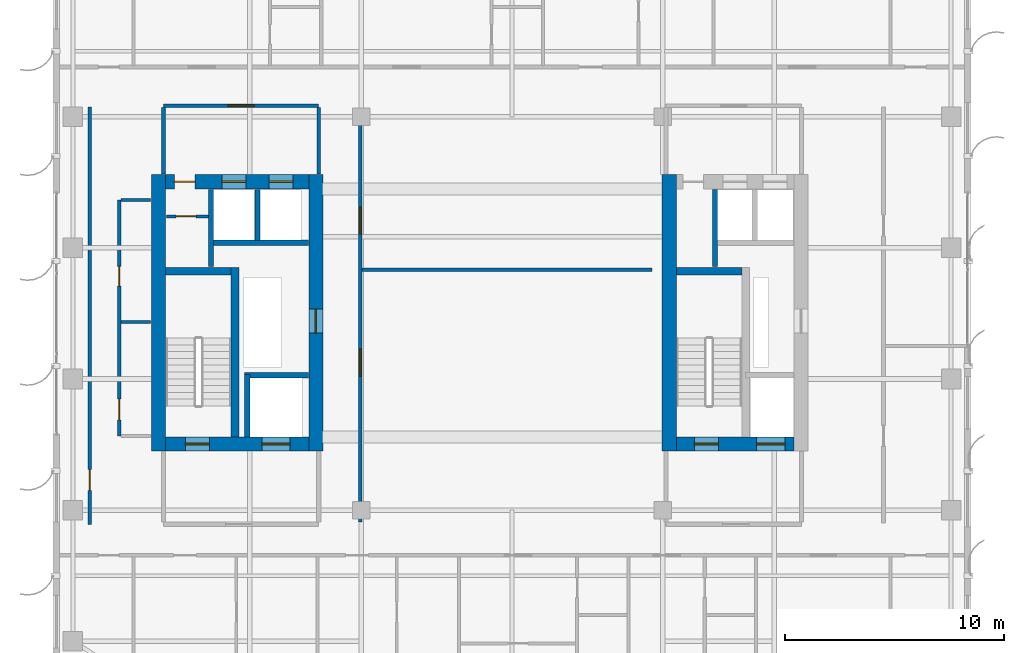
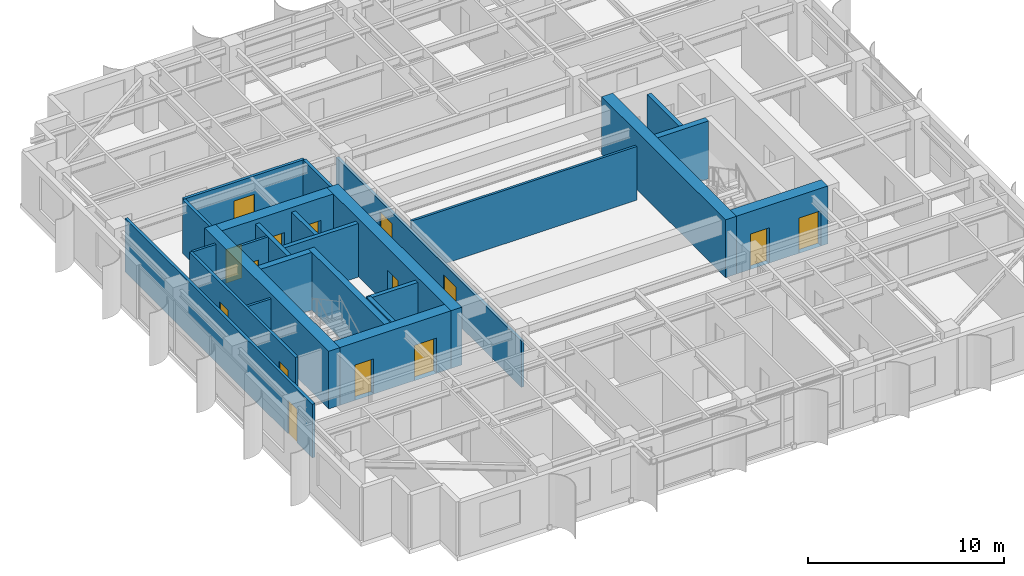
# One storey, part 17 of 23: 25 walls, 15 doors, 15 openings.
"""IFC4 building model written with IfcOpenShell, lengths in metres."""

from ifc_helpers import new_model, si_unit, direction, frame, frame_2d, origin, place, context, subcontext, project, spatial, rectangle, extrude, source, transform, mapped, material, layer, layer_set, type_object, element, fill, save


model = new_model("IFC4")

# Units and contexts
model_context = context("Model", 3, precision=1e-05, world=origin(), true_north=direction((0.0, 1.0)))
body_context = subcontext(model_context, "Body", "Model", "MODEL_VIEW")
ifc_project = project(units=[si_unit("LENGTHUNIT", "METRE"), si_unit("AREAUNIT", "SQUARE_METRE"), si_unit("VOLUMEUNIT", "CUBIC_METRE"), si_unit("PLANEANGLEUNIT", "RADIAN"), si_unit("MASSUNIT", "GRAM", prefix="KILO")], contexts=[model_context])

# Site, building, storey
site_placement = place(None, origin())
site = spatial("IfcSite", under=ifc_project, at=site_placement, CompositionType="ELEMENT")
building_placement = place(site_placement, origin())
building = spatial("IfcBuilding", under=site, at=building_placement, Name="Khoralis Quay Care Tower", CompositionType="ELEMENT")
storey_placement = place(building_placement, frame((0.0, 0.0, 173.699951171875)))
storey = spatial("IfcBuildingStorey", under=building, at=storey_placement, Name="L45", CompositionType="ELEMENT", Elevation=173.699951171875)

# Wall
ifc_material_1 = material(Name="Concrete C65/80", Category="concrete")
ifc_layer_1 = layer(ifc_material_1, 0.64990234375)
ifc_layer_set_1 = layer_set([ifc_layer_1], Name="Concrete C65/80")
wall_type_1 = type_object("IfcWallType", Name="WL-CORE-650", PredefinedType="SHEAR", material=ifc_layer_set_1)
wall_1_placement = place(storey_placement, frame((7.824951171875, 14.699951171875, 0.0), z_axis=(0.0, 0.0, 1.0), x_axis=(0.0, 1.0, 0.0)))
element("IfcWall", 1, at=wall_1_placement, inside=storey, type_object=wall_type_1, Name="L45 WCORE West Shear Wall", PredefinedType="SHEAR", context=body_context, shape_type="SweptSolid", body=[
    extrude(rectangle(XDim=12.650146484375, YDim=0.64990234375, at=frame_2d((6.3251953125, 0.0))), origin(), (0.0, 0.0, 1.0), 3.60009765625),
])

# Wall, opening, door
wall_2_placement = place(storey_placement, frame((15.02490234375, 14.699951171875, 0.0), z_axis=(0.0, 0.0, 1.0), x_axis=(0.0, 1.0, 0.0)))
wall_2 = element("IfcWall", 2, at=wall_2_placement, inside=storey, type_object=wall_type_1, Name="L45 WCORE East Shear Wall", PredefinedType="SHEAR", context=body_context, shape_type="SweptSolid", body=[
    extrude(rectangle(XDim=12.650146484375, YDim=0.64990234375, at=frame_2d((6.3251953125, 0.0))), origin(), (0.0, 0.0, 1.0), 3.60009765625),
])
opening_1_placement = place(wall_2_placement, frame((5.39990234375, 0.0, 0.0)))
opening_1 = element("IfcOpeningElement", 3, at=opening_1_placement, cuts=wall_2, Name="Opening SD1", PredefinedType="OPENING", context=body_context, shape_type="SweptSolid", body=[
    extrude(rectangle(XDim=1.10009765625, YDim=2.199951171875, at=frame_2d((0.550048828125, 1.10009765625))), frame((0.0, 0.3349609375, 0.0), z_axis=(0.0, -1.0, 0.0), x_axis=(1.0, 0.0, 0.0)), (0.0, 0.0, 1.0), 0.669921875),
])
ifc_material_2 = material(Name="Fire-rated painted steel", Category="steel")
door_type_1 = type_object("IfcDoorType", Name="DR-STAIR-1100X2200", OperationType="NOTDEFINED", PredefinedType="DOOR", material=ifc_material_2)
shared_shape_1 = source(origin(), body_context, "Body", "SweptSolid", [
    extrude(rectangle(XDim=1.10009765625, YDim=2.199951171875, at=frame_2d((0.550048828125, 1.10009765625))), frame((0.0, 0.02490234375, 0.0), z_axis=(0.0, -1.0, 0.0), x_axis=(1.0, 0.0, 0.0)), (0.0, 0.0, 1.0), 0.050048828125),
])
door_1_placement = place(opening_1_placement, origin())
door_1 = element("IfcDoor", 4, at=door_1_placement, inside=storey, type_object=door_type_1, Name="L45 West MEP Riser Door", OperationType="SINGLE_SWING_LEFT", OverallHeight=2.199951171875, OverallWidth=1.10009765625, PredefinedType="DOOR", context=body_context, shape_type="MappedRepresentation", body=[
    mapped(shared_shape_1, transform((0.0, 0.0, 0.0), scale=1.0)),
])
fill(opening_1, door_1)

# Wall, openings, doors
wall_3_placement = place(storey_placement, frame((8.14990234375, 15.02490234375, 0.0), z_axis=(0.0, 0.0, 1.0), x_axis=(1.0, 0.0, 0.0)))
wall_3 = element("IfcWall", 5, at=wall_3_placement, inside=storey, type_object=wall_type_1, Name="L45 WCORE South Shear Wall", PredefinedType="SHEAR", context=body_context, shape_type="SweptSolid", body=[
    extrude(rectangle(XDim=6.550048828125, YDim=0.64990234375, at=frame_2d((3.27490234375, 0.0))), origin(), (0.0, 0.0, 1.0), 3.60009765625),
])
opening_2_placement = place(wall_3_placement, frame((0.89990234375, 0.0, 0.0)))
opening_2 = element("IfcOpeningElement", 6, at=opening_2_placement, cuts=wall_3, Name="Opening SD1", PredefinedType="OPENING", context=body_context, shape_type="SweptSolid", body=[
    extrude(rectangle(XDim=1.10009765625, YDim=2.199951171875, at=frame_2d((0.550048828125, 1.10009765625))), frame((0.0, 0.3349609375, 0.0), z_axis=(0.0, -1.0, 0.0), x_axis=(1.0, 0.0, 0.0)), (0.0, 0.0, 1.0), 0.669921875),
])
opening_3_placement = place(wall_3_placement, frame((4.39990234375, 0.0, 0.0)))
opening_3 = element("IfcOpeningElement", 7, at=opening_3_placement, cuts=wall_3, Name="Opening LD2", PredefinedType="OPENING", context=body_context, shape_type="SweptSolid", body=[
    extrude(rectangle(XDim=1.300048828125, YDim=2.199951171875, at=frame_2d((0.64990234375, 1.10009765625))), frame((0.0, 0.3349609375, 0.0), z_axis=(0.0, -1.0, 0.0), x_axis=(1.0, 0.0, 0.0)), (0.0, 0.0, 1.0), 0.669921875),
])
door_2_placement = place(opening_2_placement, origin())
door_2 = element("IfcDoor", 8, at=door_2_placement, inside=storey, type_object=door_type_1, Name="L45 Stair ST-T1 Fire Door", OperationType="SINGLE_SWING_LEFT", OverallHeight=2.199951171875, OverallWidth=1.10009765625, PredefinedType="DOOR", context=body_context, shape_type="MappedRepresentation", body=[
    mapped(shared_shape_1, transform((0.0, 0.0, 0.0), scale=1.0)),
])
fill(opening_2, door_2)
ifc_material_3 = material(Name="Brushed stainless steel", Category="steel")
door_type_2 = type_object("IfcDoorType", Name="DR-LIFT-1300X2200", OperationType="SLIDING_TO_RIGHT", PredefinedType="DOOR", material=ifc_material_3)
shared_shape_2 = source(origin(), body_context, "Body", "SweptSolid", [
    extrude(rectangle(XDim=1.300048828125, YDim=2.199951171875, at=frame_2d((0.64990234375, 1.10009765625))), frame((0.0, 0.02490234375, 0.0), z_axis=(0.0, -1.0, 0.0), x_axis=(1.0, 0.0, 0.0)), (0.0, 0.0, 1.0), 0.050048828125),
])
door_3_placement = place(opening_3_placement, origin())
door_3 = element("IfcDoor", 9, at=door_3_placement, inside=storey, type_object=door_type_2, Name="L45 Firefighting Lift FFL-1 Landing Door", OperationType="SLIDING_TO_RIGHT", OverallHeight=2.199951171875, OverallWidth=1.300048828125, PredefinedType="DOOR", context=body_context, shape_type="MappedRepresentation", body=[
    mapped(shared_shape_2, transform((0.0, 0.0, 0.0), scale=1.0)),
])
fill(opening_3, door_3)

wall_4_placement = place(storey_placement, frame((8.14990234375, 27.02490234375, 0.0), z_axis=(0.0, 0.0, 1.0), x_axis=(1.0, 0.0, 0.0)))
wall_4 = element("IfcWall", 10, at=wall_4_placement, inside=storey, type_object=wall_type_1, Name="L45 WCORE North Shear Wall", PredefinedType="SHEAR", context=body_context, shape_type="SweptSolid", body=[
    extrude(rectangle(XDim=6.550048828125, YDim=0.64990234375, at=frame_2d((3.27490234375, 0.0))), origin(), (0.0, 0.0, 1.0), 3.60009765625),
])
opening_4_placement = place(wall_4_placement, frame((0.39990234375, 0.0, 0.0)))
opening_4 = element("IfcOpeningElement", 11, at=opening_4_placement, cuts=wall_4, Name="Opening ID1", PredefinedType="OPENING", context=body_context, shape_type="SweptSolid", body=[
    extrude(rectangle(XDim=0.949951171875, YDim=2.10009765625, at=frame_2d((0.47509765625, 1.050048828125))), frame((0.0, 0.3349609375, 0.0), z_axis=(0.0, -1.0, 0.0), x_axis=(1.0, 0.0, 0.0)), (0.0, 0.0, 1.0), 0.669921875),
])
opening_5_placement = place(wall_4_placement, frame((2.570068359375, 0.0, 0.0)))
opening_5 = element("IfcOpeningElement", 12, at=opening_5_placement, cuts=wall_4, Name="Opening LD1", PredefinedType="OPENING", context=body_context, shape_type="SweptSolid", body=[
    extrude(rectangle(XDim=1.10009765625, YDim=2.199951171875, at=frame_2d((0.550048828125, 1.10009765625))), frame((0.0, 0.3349609375, 0.0), z_axis=(0.0, -1.0, 0.0), x_axis=(1.0, 0.0, 0.0)), (0.0, 0.0, 1.0), 0.669921875),
])
opening_6_placement = place(wall_4_placement, frame((4.72998046875, 0.0, 0.0)))
opening_6 = element("IfcOpeningElement", 13, at=opening_6_placement, cuts=wall_4, Name="Opening LD1", PredefinedType="OPENING", context=body_context, shape_type="SweptSolid", body=[
    extrude(rectangle(XDim=1.10009765625, YDim=2.199951171875, at=frame_2d((0.550048828125, 1.10009765625))), frame((0.0, 0.3349609375, 0.0), z_axis=(0.0, -1.0, 0.0), x_axis=(1.0, 0.0, 0.0)), (0.0, 0.0, 1.0), 0.669921875),
])
door_type_3 = type_object("IfcDoorType", Name="DR-LIFT-1100X2200", OperationType="SLIDING_TO_LEFT", PredefinedType="DOOR", material=ifc_material_3)
shared_shape_3 = source(origin(), body_context, "Body", "SweptSolid", [
    extrude(rectangle(XDim=1.10009765625, YDim=2.199951171875, at=frame_2d((0.550048828125, 1.10009765625))), frame((0.0, 0.02490234375, 0.0), z_axis=(0.0, -1.0, 0.0), x_axis=(1.0, 0.0, 0.0)), (0.0, 0.0, 1.0), 0.050048828125),
])
door_4_placement = place(opening_5_placement, origin())
door_4 = element("IfcDoor", 14, at=door_4_placement, inside=storey, type_object=door_type_3, Name="L45 Lift PLM1 Landing Door", OperationType="SLIDING_TO_LEFT", OverallHeight=2.199951171875, OverallWidth=1.10009765625, PredefinedType="DOOR", context=body_context, shape_type="MappedRepresentation", body=[
    mapped(shared_shape_3, transform((0.0, 0.0, 0.0), scale=1.0)),
])
fill(opening_5, door_4)
door_5_placement = place(opening_6_placement, origin())
door_5 = element("IfcDoor", 15, at=door_5_placement, inside=storey, type_object=door_type_3, Name="L45 Lift PLH1 Landing Door", OperationType="SLIDING_TO_LEFT", OverallHeight=2.199951171875, OverallWidth=1.10009765625, PredefinedType="DOOR", context=body_context, shape_type="MappedRepresentation", body=[
    mapped(shared_shape_3, transform((0.0, 0.0, 0.0), scale=1.0)),
])
fill(opening_6, door_5)
ifc_material_4 = material(Name="Acoustic hardwood timber", Category="wood")
door_type_4 = type_object("IfcDoorType", Name="DR-ROOM-950X2100", OperationType="NOTDEFINED", PredefinedType="DOOR", material=ifc_material_4)
shared_shape_4 = source(origin(), body_context, "Body", "SweptSolid", [
    extrude(rectangle(XDim=0.949951171875, YDim=2.10009765625, at=frame_2d((0.47509765625, 1.050048828125))), frame((0.0, 0.02490234375, 0.0), z_axis=(0.0, -1.0, 0.0), x_axis=(1.0, 0.0, 0.0)), (0.0, 0.0, 1.0), 0.050048828125),
])
door_6_placement = place(opening_4_placement, frame((0.949951171875, 0.0, 0.0), z_axis=(0.0, 0.0, 1.0), x_axis=(-1.0, 0.0, 0.0)))
door_6 = element("IfcDoor", 16, at=door_6_placement, inside=storey, type_object=door_type_4, Name="L45 Medication Store Door", OperationType="SINGLE_SWING_LEFT", OverallHeight=2.10009765625, OverallWidth=0.949951171875, PredefinedType="DOOR", context=body_context, shape_type="MappedRepresentation", body=[
    mapped(shared_shape_4, transform((0.0, 0.0, 0.0), scale=1.0)),
])
fill(opening_4, door_6)

# Wall
wall_5_placement = place(storey_placement, frame((31.195068359375, 14.699951171875, 0.0), z_axis=(0.0, 0.0, 1.0), x_axis=(0.0, 1.0, 0.0)))
element("IfcWall", 17, at=wall_5_placement, inside=storey, type_object=wall_type_1, Name="L45 ECORE West Shear Wall", PredefinedType="SHEAR", context=body_context, shape_type="SweptSolid", body=[
    extrude(rectangle(XDim=12.650146484375, YDim=0.64990234375, at=frame_2d((6.3251953125, 0.0))), origin(), (0.0, 0.0, 1.0), 3.60009765625),
])

# Wall, openings, doors
wall_6_placement = place(storey_placement, frame((31.52001953125, 15.02490234375, 0.0), z_axis=(0.0, 0.0, 1.0), x_axis=(1.0, 0.0, 0.0)))
wall_6 = element("IfcWall", 18, at=wall_6_placement, inside=storey, type_object=wall_type_1, Name="L45 ECORE South Shear Wall", PredefinedType="SHEAR", context=body_context, shape_type="SweptSolid", body=[
    extrude(rectangle(XDim=5.3798828125, YDim=0.64990234375, at=frame_2d((2.68994140625, 0.0))), origin(), (0.0, 0.0, 1.0), 3.60009765625),
])
opening_7_placement = place(wall_6_placement, frame((0.830078125, 0.0, 0.0)))
opening_7 = element("IfcOpeningElement", 19, at=opening_7_placement, cuts=wall_6, Name="Opening SD1", PredefinedType="OPENING", context=body_context, shape_type="SweptSolid", body=[
    extrude(rectangle(XDim=1.10009765625, YDim=2.199951171875, at=frame_2d((0.550048828125, 1.10009765625))), frame((0.0, 0.3349609375, 0.0), z_axis=(0.0, -1.0, 0.0), x_axis=(1.0, 0.0, 0.0)), (0.0, 0.0, 1.0), 0.669921875),
])
opening_8_placement = place(wall_6_placement, frame((3.679931640625, 0.0, 0.0)))
opening_8 = element("IfcOpeningElement", 20, at=opening_8_placement, cuts=wall_6, Name="Opening LD2", PredefinedType="OPENING", context=body_context, shape_type="SweptSolid", body=[
    extrude(rectangle(XDim=1.300048828125, YDim=2.199951171875, at=frame_2d((0.64990234375, 1.10009765625))), frame((0.0, 0.3349609375, 0.0), z_axis=(0.0, -1.0, 0.0), x_axis=(1.0, 0.0, 0.0)), (0.0, 0.0, 1.0), 0.669921875),
])
door_7_placement = place(opening_7_placement, origin())
door_7 = element("IfcDoor", 21, at=door_7_placement, inside=storey, type_object=door_type_1, Name="L45 Stair ST-T2 Fire Door", OperationType="SINGLE_SWING_RIGHT", OverallHeight=2.199951171875, OverallWidth=1.10009765625, PredefinedType="DOOR", context=body_context, shape_type="MappedRepresentation", body=[
    mapped(shared_shape_1, transform((0.0, 0.0, 0.0), scale=1.0)),
])
fill(opening_7, door_7)
door_8_placement = place(opening_8_placement, origin())
door_8 = element("IfcDoor", 22, at=door_8_placement, inside=storey, type_object=door_type_2, Name="L45 Firefighting Lift FFL-2 Landing Door", OperationType="SLIDING_TO_RIGHT", OverallHeight=2.199951171875, OverallWidth=1.300048828125, PredefinedType="DOOR", context=body_context, shape_type="MappedRepresentation", body=[
    mapped(shared_shape_2, transform((0.0, 0.0, 0.0), scale=1.0)),
])
fill(opening_8, door_8)

# Wall, opening, door
ifc_material_5 = material(Name="Gypsum plasterboard on acoustic metal stud")
ifc_layer_2 = layer(ifc_material_5, 0.1650390625)
ifc_layer_set_2 = layer_set([ifc_layer_2], Name="Gypsum plasterboard on acoustic metal stud")
wall_type_2 = type_object("IfcWallType", Name="WL-CORR-165", PredefinedType="PARTITIONING", material=ifc_layer_set_2)
wall_7_placement = place(storey_placement, frame((8.050048828125, 30.5, 0.0), z_axis=(0.0, 0.0, 1.0), x_axis=(1.0, 0.0, 0.0)))
wall_7 = element("IfcWall", 23, at=wall_7_placement, inside=storey, type_object=wall_type_2, Name="L45 West Lift Lobby North Wall", PredefinedType="PARTITIONING", context=body_context, shape_type="SweptSolid", body=[
    extrude(rectangle(XDim=7.099853515625, YDim=0.1650390625, at=frame_2d((3.5498046875, 0.0))), origin(), (0.0, 0.0, 1.0), 3.340087890625),
])
opening_9_placement = place(wall_7_placement, frame((2.949951171875, 0.0, 0.0)))
opening_9 = element("IfcOpeningElement", 24, at=opening_9_placement, cuts=wall_7, Name="Opening FD1", PredefinedType="OPENING", context=body_context, shape_type="SweptSolid", body=[
    extrude(rectangle(XDim=1.199951171875, YDim=2.199951171875, at=frame_2d((0.60009765625, 1.10009765625))), frame((0.0, 0.092529296875, 0.0), z_axis=(0.0, -1.0, 0.0), x_axis=(1.0, 0.0, 0.0)), (0.0, 0.0, 1.0), 0.18505859375),
])
door_type_5 = type_object("IfcDoorType", Name="DR-FFL-1200X2200", OperationType="NOTDEFINED", PredefinedType="DOOR", material=ifc_material_2)
shared_shape_5 = source(origin(), body_context, "Body", "SweptSolid", [
    extrude(rectangle(XDim=1.199951171875, YDim=2.199951171875, at=frame_2d((0.60009765625, 1.10009765625))), frame((0.0, 0.02490234375, 0.0), z_axis=(0.0, -1.0, 0.0), x_axis=(1.0, 0.0, 0.0)), (0.0, 0.0, 1.0), 0.050048828125),
])
door_9_placement = place(opening_9_placement, origin())
door_9 = element("IfcDoor", 25, at=door_9_placement, inside=storey, type_object=door_type_5, Name="L45 West Lift Lobby Double Door", OperationType="DOUBLE_DOOR_SINGLE_SWING", OverallHeight=2.199951171875, OverallWidth=1.199951171875, PredefinedType="DOOR", context=body_context, shape_type="MappedRepresentation", body=[
    mapped(shared_shape_5, transform((0.0, 0.0, 0.0), scale=1.0)),
])
fill(opening_9, door_9)

# Walls
for number, where, z_axis, x_axis, name in (
    (26, (8.050048828125, 27.3701171875, 0.0), (0.0, 0.0, 1.0), (0.0, 1.0, 0.0), "L45 West Lift Lobby West Wall"),
    (27, (15.14990234375, 27.3701171875, 0.0), (0.0, 0.0, 1.0), (0.0, 1.0, 0.0), "L45 West Lift Lobby East Wall"),
):
    element("IfcWall", number, at=place(storey_placement, frame(where, z_axis=z_axis, x_axis=x_axis)), inside=storey, type_object=wall_type_2, Name=name, PredefinedType="PARTITIONING", context=body_context, shape_type="SweptSolid", body=[
        extrude(rectangle(XDim=3.052490234375, YDim=0.1650390625, at=frame_2d((1.5263671875, 0.0))), origin(), (0.0, 0.0, 1.0), 3.340087890625),
    ])

# Wall, openings, doors
wall_8_placement = place(storey_placement, frame((6.02001953125, 15.39990234375, 0.0), z_axis=(0.0, 0.0, 1.0), x_axis=(0.0, 1.0, 0.0)))
wall_8 = element("IfcWall", 28, at=wall_8_placement, inside=storey, type_object=wall_type_2, Name="L45 West Core Service Flank Wall", PredefinedType="PARTITIONING", context=body_context, shape_type="SweptSolid", body=[
    extrude(rectangle(XDim=10.800048828125, YDim=0.1650390625, at=frame_2d((5.39990234375, 0.0))), origin(), (0.0, 0.0, 1.0), 3.340087890625),
])
opening_10_placement = place(wall_8_placement, frame((0.72509765625, 0.0, 0.0)))
opening_10 = element("IfcOpeningElement", 29, at=opening_10_placement, cuts=wall_8, Name="Opening ID1", PredefinedType="OPENING", context=body_context, shape_type="SweptSolid", body=[
    extrude(rectangle(XDim=0.949951171875, YDim=2.10009765625, at=frame_2d((0.47509765625, 1.050048828125))), frame((0.0, 0.092529296875, 0.0), z_axis=(0.0, -1.0, 0.0), x_axis=(1.0, 0.0, 0.0)), (0.0, 0.0, 1.0), 0.18505859375),
])
opening_11_placement = place(wall_8_placement, frame((6.85009765625, 0.0, 0.0)))
opening_11 = element("IfcOpeningElement", 30, at=opening_11_placement, cuts=wall_8, Name="Opening WD1", PredefinedType="OPENING", context=body_context, shape_type="SweptSolid", body=[
    extrude(rectangle(XDim=0.89990234375, YDim=2.10009765625, at=frame_2d((0.449951171875, 1.050048828125))), frame((0.0, 0.092529296875, 0.0), z_axis=(0.0, -1.0, 0.0), x_axis=(1.0, 0.0, 0.0)), (0.0, 0.0, 1.0), 0.18505859375),
])
door_type_6 = type_object("IfcDoorType", Name="DR-BATH-900X2100", OperationType="NOTDEFINED", PredefinedType="DOOR", material=ifc_material_4)
shared_shape_6 = source(origin(), body_context, "Body", "SweptSolid", [
    extrude(rectangle(XDim=0.89990234375, YDim=2.10009765625, at=frame_2d((0.449951171875, 1.050048828125))), frame((0.0, 0.02490234375, 0.0), z_axis=(0.0, -1.0, 0.0), x_axis=(1.0, 0.0, 0.0)), (0.0, 0.0, 1.0), 0.050048828125),
])
door_10_placement = place(opening_11_placement, frame((0.89990234375, 0.0, 0.0), z_axis=(0.0, 0.0, 1.0), x_axis=(-1.0, 0.0, 0.0)))
door_10 = element("IfcDoor", 31, at=door_10_placement, inside=storey, type_object=door_type_6, Name="L45 Public Accessible WC Door", OperationType="SINGLE_SWING_LEFT", OverallHeight=2.10009765625, OverallWidth=0.89990234375, PredefinedType="DOOR", context=body_context, shape_type="MappedRepresentation", body=[
    mapped(shared_shape_6, transform((0.0, 0.0, 0.0), scale=1.0)),
])
fill(opening_11, door_10)
door_11_placement = place(opening_10_placement, frame((0.949951171875, 0.0, 0.0), z_axis=(0.0, 0.0, 1.0), x_axis=(-1.0, 0.0, 0.0)))
door_11 = element("IfcDoor", 32, at=door_11_placement, inside=storey, type_object=door_type_4, Name="L45 Housekeeping Linen Store Door", OperationType="SINGLE_SWING_RIGHT", OverallHeight=2.10009765625, OverallWidth=0.949951171875, PredefinedType="DOOR", context=body_context, shape_type="MappedRepresentation", body=[
    mapped(shared_shape_4, transform((0.0, 0.0, 0.0), scale=1.0)),
])
fill(opening_10, door_11)

wall_9_placement = place(storey_placement, frame((17.050048828125, 11.449951171875, 0.0), z_axis=(0.0, 0.0, 1.0), x_axis=(0.0, 1.0, 0.0)))
wall_9 = element("IfcWall", 33, at=wall_9_placement, inside=storey, type_object=wall_type_2, Name="L45 West Portal Spine Wall", PredefinedType="PARTITIONING", context=body_context, shape_type="SweptSolid", body=[
    extrude(rectangle(XDim=18.900146484375, YDim=0.1650390625, at=frame_2d((9.4501953125, 0.0))), origin(), (0.0, 0.0, 1.0), 2.876953125),
])
opening_12_placement = place(wall_9_placement, frame((6.675048828125, 0.0, 0.0)))
opening_12 = element("IfcOpeningElement", 34, at=opening_12_placement, cuts=wall_9, Name="Opening CD1", PredefinedType="OPENING", context=body_context, shape_type="SweptSolid", body=[
    extrude(rectangle(XDim=1.25, YDim=2.199951171875, at=frame_2d((0.625, 1.10009765625))), frame((0.0, 0.092529296875, 0.0), z_axis=(0.0, -1.0, 0.0), x_axis=(1.0, 0.0, 0.0)), (0.0, 0.0, 1.0), 0.18505859375),
])
opening_13_placement = place(wall_9_placement, frame((13.175048828125, 0.0, 0.0)))
opening_13 = element("IfcOpeningElement", 35, at=opening_13_placement, cuts=wall_9, Name="Opening CD1", PredefinedType="OPENING", context=body_context, shape_type="SweptSolid", body=[
    extrude(rectangle(XDim=1.25, YDim=2.199951171875, at=frame_2d((0.625, 1.10009765625))), frame((0.0, 0.092529296875, 0.0), z_axis=(0.0, -1.0, 0.0), x_axis=(1.0, 0.0, 0.0)), (0.0, 0.0, 1.0), 0.18505859375),
])
door_type_7 = type_object("IfcDoorType", Name="DR-CARE-1250X2200", OperationType="NOTDEFINED", PredefinedType="DOOR", material=ifc_material_4)
shared_shape_7 = source(origin(), body_context, "Body", "SweptSolid", [
    extrude(rectangle(XDim=1.25, YDim=2.199951171875, at=frame_2d((0.625, 1.10009765625))), frame((0.0, 0.02490234375, 0.0), z_axis=(0.0, -1.0, 0.0), x_axis=(1.0, 0.0, 0.0)), (0.0, 0.0, 1.0), 0.050048828125),
])
door_12_placement = place(opening_12_placement, origin())
door_12 = element("IfcDoor", 36, at=door_12_placement, inside=storey, type_object=door_type_7, Name="L45 Nurse Station Door", OperationType="SINGLE_SWING_LEFT", OverallHeight=2.199951171875, OverallWidth=1.25, PredefinedType="DOOR", context=body_context, shape_type="MappedRepresentation", body=[
    mapped(shared_shape_7, transform((0.0, 0.0, 0.0), scale=1.0)),
])
fill(opening_12, door_12)
door_13_placement = place(opening_13_placement, origin())
door_13 = element("IfcDoor", 37, at=door_13_placement, inside=storey, type_object=door_type_7, Name="L45 Activity Hall Door", OperationType="SINGLE_SWING_RIGHT", OverallHeight=2.199951171875, OverallWidth=1.25, PredefinedType="DOOR", context=body_context, shape_type="MappedRepresentation", body=[
    mapped(shared_shape_7, transform((0.0, 0.0, 0.0), scale=1.0)),
])
fill(opening_13, door_13)

# Wall, opening, door
wall_10_placement = place(storey_placement, frame((4.679931640625, 11.35009765625, 0.0), z_axis=(0.0, 0.0, 1.0), x_axis=(0.0, 1.0, 0.0)))
wall_10 = element("IfcWall", 38, at=wall_10_placement, inside=storey, type_object=wall_type_2, Name="L45 West Sunroom Wall", PredefinedType="PARTITIONING", context=body_context, shape_type="SweptSolid", body=[
    extrude(rectangle(XDim=19.099853515625, YDim=0.1650390625, at=frame_2d((9.5498046875, 0.0))), origin(), (0.0, 0.0, 1.0), 3.340087890625),
])
opening_14_placement = place(wall_10_placement, frame((1.550048828125, 0.0, 0.0)))
opening_14 = element("IfcOpeningElement", 39, at=opening_14_placement, cuts=wall_10, Name="Opening ID1", PredefinedType="OPENING", context=body_context, shape_type="SweptSolid", body=[
    extrude(rectangle(XDim=0.949951171875, YDim=2.10009765625, at=frame_2d((0.47509765625, 1.050048828125))), frame((0.0, 0.092529296875, 0.0), z_axis=(0.0, -1.0, 0.0), x_axis=(1.0, 0.0, 0.0)), (0.0, 0.0, 1.0), 0.18505859375),
])
door_14_placement = place(opening_14_placement, frame((0.949951171875, 0.0, 0.0), z_axis=(0.0, 0.0, 1.0), x_axis=(-1.0, 0.0, 0.0)))
door_14 = element("IfcDoor", 40, at=door_14_placement, inside=storey, type_object=door_type_4, Name="L45 West Sunroom Door", OperationType="SINGLE_SWING_LEFT", OverallHeight=2.10009765625, OverallWidth=0.949951171875, PredefinedType="DOOR", context=body_context, shape_type="MappedRepresentation", body=[
    mapped(shared_shape_4, transform((0.0, 0.0, 0.0), scale=1.0)),
])
fill(opening_14, door_14)

# Walls
ifc_material_6 = material(Name="Moisture-resistant gypsum and ceramic tile")
ifc_layer_3 = layer(ifc_material_6, 0.280029296875)
ifc_layer_set_3 = layer_set([ifc_layer_3], Name="Moisture-resistant gypsum and ceramic tile")
wall_type_3 = type_object("IfcWallType", Name="WL-PLUMB-280", PredefinedType="PLUMBINGWALL", material=ifc_layer_set_3)
wall_11_placement = place(storey_placement, frame((6.097412109375, 20.60009765625, 0.0), z_axis=(0.0, 0.0, 1.0), x_axis=(1.0, 0.0, 0.0)))
element("IfcWall", 41, at=wall_11_placement, inside=storey, type_object=wall_type_3, Name="L45 West Flank Divider 1", PredefinedType="PLUMBINGWALL", context=body_context, shape_type="SweptSolid", body=[
    extrude(rectangle(XDim=1.362548828125, YDim=0.139892578125, at=frame_2d((0.68115234375, 0.0))), origin(), (0.0, 0.0, 1.0), 3.340087890625),
])
ifc_material_7 = material(Name="Concrete C40/50", Category="concrete")
ifc_layer_4 = layer(ifc_material_7, 0.35009765625)
ifc_layer_set_4 = layer_set([ifc_layer_4], Name="Concrete C40/50")
wall_type_4 = type_object("IfcWallType", Name="WL-SC-CORE-350", PredefinedType="SHEAR", material=ifc_layer_set_4)
wall_12_placement = place(storey_placement, frame((11.324951171875, 15.35009765625, 0.0), z_axis=(0.0, 0.0, 1.0), x_axis=(0.0, 1.0, 0.0)))
element("IfcWall", 42, at=wall_12_placement, inside=storey, type_object=wall_type_4, Name="L45 Stair ST-T1 Shear Baffle Wall East", PredefinedType="SHEAR", context=body_context, shape_type="SweptSolid", body=[
    extrude(rectangle(XDim=7.75, YDim=0.35009765625, at=frame_2d((3.875, 0.0))), origin(), (0.0, 0.0, 1.0), 3.60009765625),
])
for number, where, z_axis, x_axis, name in (
    (43, (8.14990234375, 22.925048828125, 0.0), (0.0, 0.0, 1.0), (1.0, 0.0, 0.0), "L45 Stair ST-T1 Shear Baffle Wall North"),
    (44, (31.52001953125, 22.925048828125, 0.0), (0.0, 0.0, 1.0), (1.0, 0.0, 0.0), "L45 Stair ST-T2 Shear Baffle Wall North"),
):
    element("IfcWall", number, at=place(storey_placement, frame(where, z_axis=z_axis, x_axis=x_axis)), inside=storey, type_object=wall_type_4, Name=name, PredefinedType="SHEAR", context=body_context, shape_type="SweptSolid", body=[
        extrude(rectangle(XDim=3.0, YDim=0.35009765625, at=frame_2d((1.5, 0.0))), origin(), (0.0, 0.0, 1.0), 3.60009765625),
    ])
ifc_layer_5 = layer(ifc_material_5, 0.239990234375)
ifc_layer_set_5 = layer_set([ifc_layer_5], Name="Gypsum plasterboard on acoustic metal stud")
wall_type_5 = type_object("IfcWallType", Name="WL-SHAFT-240", PredefinedType="PARTITIONING", material=ifc_layer_set_5)
wall_13_placement = place(storey_placement, frame((11.8798828125, 15.35009765625, 0.0), z_axis=(0.0, 0.0, 1.0), x_axis=(0.0, 1.0, 0.0)))
element("IfcWall", 45, at=wall_13_placement, inside=storey, type_object=wall_type_5, Name="L45 FFL-1 Shaft Wall West", PredefinedType="PARTITIONING", context=body_context, shape_type="SweptSolid", body=[
    extrude(rectangle(XDim=2.849853515625, YDim=0.239990234375, at=frame_2d((1.4248046875, 0.0))), origin(), (0.0, 0.0, 1.0), 3.340087890625),
])
wall_14_placement = place(storey_placement, frame((11.760009765625, 18.169921875, 0.0), z_axis=(0.0, 0.0, 1.0), x_axis=(1.0, 0.0, 0.0)))
element("IfcWall", 46, at=wall_14_placement, inside=storey, type_object=wall_type_5, Name="L45 FFL-1 Shaft Wall North", PredefinedType="PARTITIONING", context=body_context, shape_type="SweptSolid", body=[
    extrude(rectangle(XDim=2.919921875, YDim=0.239990234375, at=frame_2d((1.4599609375, 0.0))), origin(), (0.0, 0.0, 1.0), 3.340087890625),
])
wall_15_placement = place(storey_placement, frame((10.219970703125, 23.139892578125, 0.0), z_axis=(0.0, 0.0, 1.0), x_axis=(0.0, 1.0, 0.0)))
element("IfcWall", 47, at=wall_15_placement, inside=storey, type_object=wall_type_5, Name="L45 Reclaimed Bay Divider West", PredefinedType="PARTITIONING", context=body_context, shape_type="SweptSolid", body=[
    extrude(rectangle(XDim=3.5400390625, YDim=0.239990234375, at=frame_2d((1.77001953125, 0.0))), origin(), (0.0, 0.0, 1.0), 3.340087890625),
])
wall_16_placement = place(storey_placement, frame((10.3349609375, 24.22998046875, 0.0), z_axis=(0.0, 0.0, 1.0), x_axis=(1.0, 0.0, 0.0)))
element("IfcWall", 48, at=wall_16_placement, inside=storey, type_object=wall_type_5, Name="L45 Active Shaft South Wall West", PredefinedType="PARTITIONING", context=body_context, shape_type="SweptSolid", body=[
    extrude(rectangle(XDim=4.344970703125, YDim=0.239990234375, at=frame_2d((2.17236328125, 0.0))), origin(), (0.0, 0.0, 1.0), 3.340087890625),
])
wall_17_placement = place(storey_placement, frame((12.35009765625, 24.344970703125, 0.0), z_axis=(0.0, 0.0, 1.0), x_axis=(0.0, 1.0, 0.0)))
element("IfcWall", 49, at=wall_17_placement, inside=storey, type_object=wall_type_5, Name="L45 West Shaft Divider 2", PredefinedType="PARTITIONING", context=body_context, shape_type="SweptSolid", body=[
    extrude(rectangle(XDim=2.3349609375, YDim=0.239990234375, at=frame_2d((1.16748046875, 0.0))), origin(), (0.0, 0.0, 1.0), 3.340087890625),
])
wall_18_placement = place(storey_placement, frame((33.2900390625, 23.139892578125, 0.0), z_axis=(0.0, 0.0, 1.0), x_axis=(0.0, 1.0, 0.0)))
element("IfcWall", 50, at=wall_18_placement, inside=storey, type_object=wall_type_5, Name="L45 Reclaimed Bay Divider East", PredefinedType="PARTITIONING", context=body_context, shape_type="SweptSolid", body=[
    extrude(rectangle(XDim=3.5400390625, YDim=0.239990234375, at=frame_2d((1.77001953125, 0.0))), origin(), (0.0, 0.0, 1.0), 3.340087890625),
])

# Wall, opening, door
ifc_layer_6 = layer(ifc_material_5, 0.139892578125)
ifc_layer_set_6 = layer_set([ifc_layer_6], Name="Gypsum plasterboard on acoustic metal stud")
wall_type_6 = type_object("IfcWallType", Name="WL-UNIT-140", PredefinedType="PARTITIONING", material=ifc_layer_set_6)
wall_19_placement = place(storey_placement, frame((8.179931640625, 25.43994140625, 0.0), z_axis=(0.0, 0.0, 1.0), x_axis=(1.0, 0.0, 0.0)))
wall_19 = element("IfcWall", 51, at=wall_19_placement, inside=storey, type_object=wall_type_6, Name="L45 West Reclaimed Split Wall", PredefinedType="PARTITIONING", context=body_context, shape_type="SweptSolid", body=[
    extrude(rectangle(XDim=1.925048828125, YDim=0.139892578125, at=frame_2d((0.96240234375, 0.0))), origin(), (0.0, 0.0, 1.0), 3.340087890625),
])
opening_15_placement = place(wall_19_placement, frame((0.449951171875, 0.0, 0.0)))
opening_15 = element("IfcOpeningElement", 52, at=opening_15_placement, cuts=wall_19, Name="Opening WD1", PredefinedType="OPENING", context=body_context, shape_type="SweptSolid", body=[
    extrude(rectangle(XDim=0.89990234375, YDim=2.10009765625, at=frame_2d((0.449951171875, 1.050048828125))), frame((0.0, 0.080078125, 0.0), z_axis=(0.0, -1.0, 0.0), x_axis=(1.0, 0.0, 0.0)), (0.0, 0.0, 1.0), 0.159912109375),
])
door_15_placement = place(opening_15_placement, frame((0.89990234375, 0.0, 0.0), z_axis=(0.0, 0.0, 1.0), x_axis=(-1.0, 0.0, 0.0)))
door_15 = element("IfcDoor", 53, at=door_15_placement, inside=storey, type_object=door_type_6, Name="L45 Clean Linen Store Door", OperationType="SINGLE_SWING_LEFT", OverallHeight=2.10009765625, OverallWidth=0.89990234375, PredefinedType="DOOR", context=body_context, shape_type="MappedRepresentation", body=[
    mapped(shared_shape_6, transform((0.0, 0.0, 0.0), scale=1.0)),
])
fill(opening_15, door_15)

# Walls
wall_20_placement = place(storey_placement, frame((6.097412109375, 26.199951171875, 0.0), z_axis=(0.0, 0.0, 1.0), x_axis=(1.0, 0.0, 0.0)))
element("IfcWall", 54, at=wall_20_placement, inside=storey, type_object=wall_type_6, Name="L45 West Flank North Cap", PredefinedType="PARTITIONING", context=body_context, shape_type="SweptSolid", body=[
    extrude(rectangle(XDim=1.362548828125, YDim=0.139892578125, at=frame_2d((0.68115234375, 0.0))), origin(), (0.0, 0.0, 1.0), 3.340087890625),
])
wall_21_placement = place(storey_placement, frame((17.12744140625, 23.0, 0.0), z_axis=(0.0, 0.0, 1.0), x_axis=(1.0, 0.0, 0.0)))
element("IfcWall", 55, at=wall_21_placement, inside=storey, type_object=wall_type_6, Name="L45 Central Split", PredefinedType="PARTITIONING", context=body_context, shape_type="SweptSolid", body=[
    extrude(rectangle(XDim=13.2724609375, YDim=0.139892578125, at=frame_2d((6.63623046875, 0.0))), origin(), (0.0, 0.0, 1.0), 3.340087890625),
])

save(model, "model.ifc")
